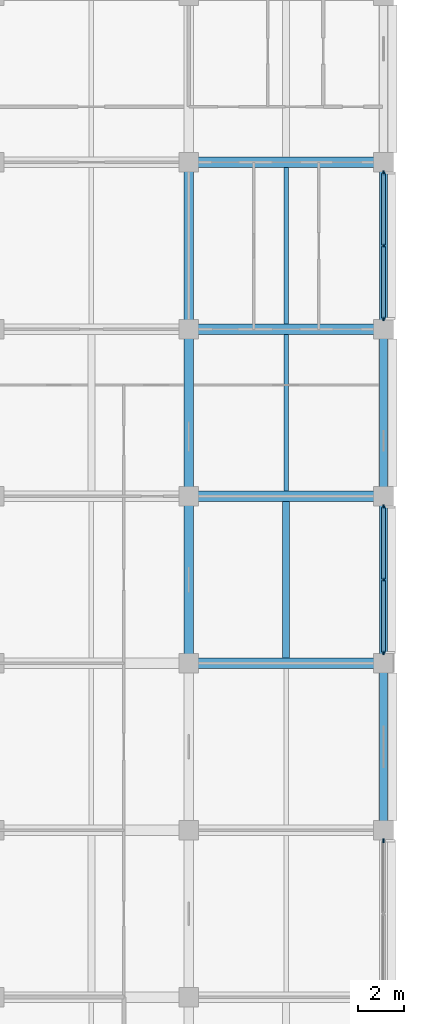
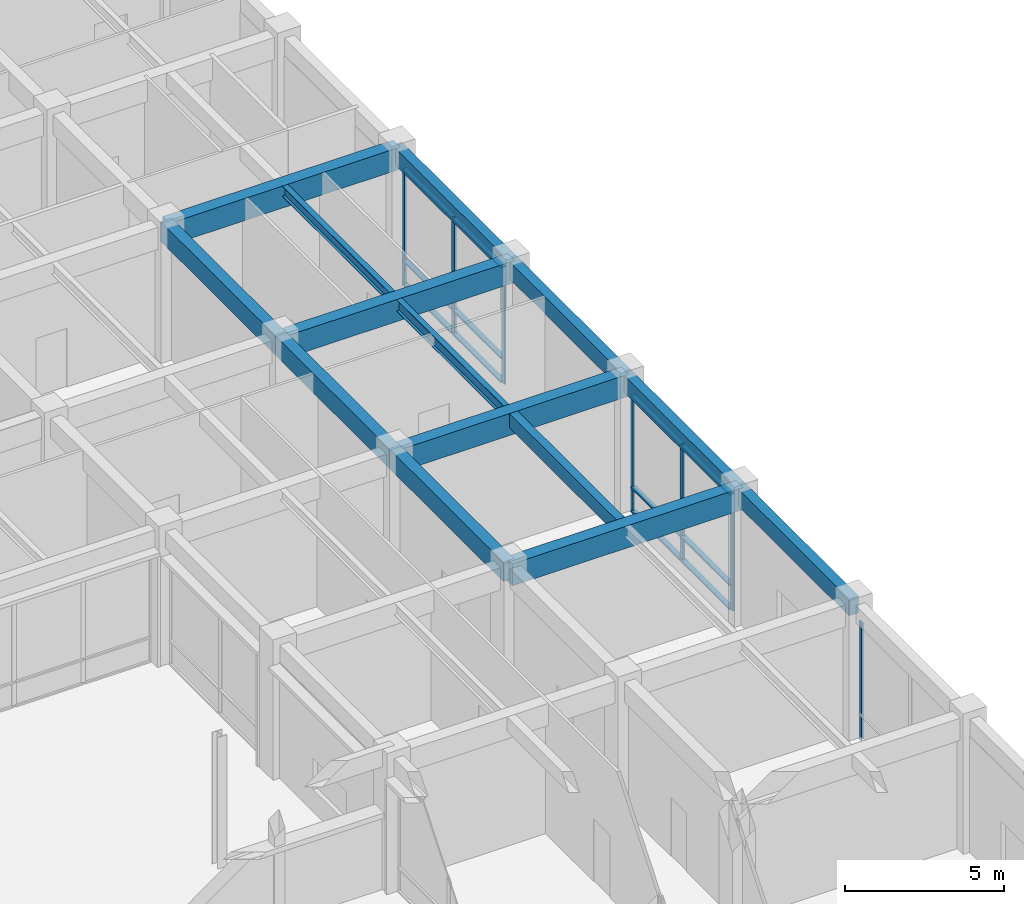
# One storey, part 30 of 73: 19 members, 14 beams, 3 elements without a shape of their own.
"""IFC4 building model written with IfcOpenShell, lengths in metres."""

import ifcopenshell
import ifcopenshell.guid

model = None  # the IFC model being written
_history = None  # IfcOwnerHistory: only IFC2X3 demands one
_inside = {}  # id of a spatial element -> (the spatial element, [elements in it])
_under = {}  # id of a project, library or spatial element -> (it, [spatial elements below it])
_declared = {}  # id of a project -> (the project, [libraries it declares])
_typed = {}  # id of a type object -> (the type object, [elements of that type])
_made_of = {}  # id of a material, layer set ... -> (it, [elements and type objects made of it])


def new_model(schema):
    """Start an empty IFC model of exactly this schema.

    Asked for "IFC4X3", IfcOpenShell would pick the latest addendum, in which some entities
    have other attributes; the version numbers below select the first issue.
    IFC2X3 requires an IfcOwnerHistory on every rooted entity: one is made here for all.
    """
    global model, _history
    if schema == "IFC4X3":
        model = ifcopenshell.file(schema_version=(4, 3, 0, 0))
    else:
        model = ifcopenshell.file(schema=schema)
    _inside.clear()
    _under.clear()
    _declared.clear()
    _typed.clear()
    _made_of.clear()
    _history = None
    if model.schema == "IFC2X3":
        org = make("IfcOrganization", Name="unknown")
        user = make(
            "IfcPersonAndOrganization",
            ThePerson=make("IfcPerson", FamilyName="unknown"),
            TheOrganization=org,
        )
        app = make(
            "IfcApplication",
            ApplicationDeveloper=org,
            Version="unknown",
            ApplicationFullName="unknown",
            ApplicationIdentifier="unknown",
        )
        _history = make(
            "IfcOwnerHistory",
            OwningUser=user,
            OwningApplication=app,
            ChangeAction="ADDED",
            CreationDate=0,
        )
    return model


def make(cls, **values):
    """One entity of the class cls with the attributes given. An attribute that is None is left unset."""
    return model.create_entity(
        cls, **{name: value for name, value in values.items() if value is not None}
    )


def rooted(cls, **values):
    """An entity with a GlobalId (a new one), such as an element, a storey or a relation."""
    return make(cls, GlobalId=ifcopenshell.guid.new(), OwnerHistory=_history, **values)


def si_unit(unit_type, name, prefix=None):
    """IfcSIUnit, for example si_unit("LENGTHUNIT", "METRE", prefix="MILLI")."""
    return make("IfcSIUnit", UnitType=unit_type, Prefix=prefix, Name=name)


def assignment(units):
    """IfcUnitAssignment: the units of a project."""
    return None if units is None else make("IfcUnitAssignment", Units=units)


def point(xyz):
    """IfcCartesianPoint."""
    return None if xyz is None else make("IfcCartesianPoint", Coordinates=xyz)


def direction(xyz):
    """IfcDirection."""
    return None if xyz is None else make("IfcDirection", DirectionRatios=xyz)


def frame(location, z_axis=None, x_axis=None):
    """IfcAxis2Placement3D, a coordinate frame: its origin and axes. An axis left out is left unset."""
    return make(
        "IfcAxis2Placement3D",
        Location=point(location),
        Axis=direction(z_axis),
        RefDirection=direction(x_axis),
    )


def frame_2d(location, x_axis=None):
    """IfcAxis2Placement2D, a coordinate frame in the plane: its origin and x axis."""
    return make(
        "IfcAxis2Placement2D", Location=point(location), RefDirection=direction(x_axis)
    )


def origin():
    """The frame at (0, 0, 0) with its axes left unset."""
    return frame((0.0, 0.0, 0.0))


def origin_2d():
    """The frame at (0, 0) in the plane with its x axis left unset."""
    return frame_2d((0.0, 0.0))


def place(relative_to, where):
    """IfcLocalPlacement: puts the frame where relative to a parent placement (None: the world)."""
    return make(
        "IfcLocalPlacement", PlacementRelTo=relative_to, RelativePlacement=where
    )


def context(
    kind, dimensions, precision=None, world=None, true_north=None, identifier=None
):
    """IfcGeometricRepresentationContext, for example the 3D "Model" context."""
    return make(
        "IfcGeometricRepresentationContext",
        ContextIdentifier=identifier,
        ContextType=kind,
        CoordinateSpaceDimension=dimensions,
        Precision=precision,
        WorldCoordinateSystem=world,
        TrueNorth=true_north,
    )


def subcontext(parent, identifier, kind, view, scale=None):
    """IfcGeometricRepresentationSubContext, for example "Body" below "Model"."""
    return make(
        "IfcGeometricRepresentationSubContext",
        ContextIdentifier=identifier,
        ContextType=kind,
        ParentContext=parent,
        TargetScale=scale,
        TargetView=view,
    )


def project(units=None, contexts=None):
    """IfcProject with its units and contexts."""
    return rooted(
        "IfcProject",
        Name="project",
        RepresentationContexts=contexts,
        UnitsInContext=assignment(units),
    )


def spatial(cls, under=None, at=None, **own):
    """A site, building, storey or space (cls), placed at a placement, below another one or the project."""
    s = rooted(cls, ObjectPlacement=at, **own)
    if under is not None:
        _under.setdefault(under.id(), (under, []))[1].append(s)
    return s


def profile(cls, at=None, kind="AREA", **sizes):
    """A parametric profile (cls). Its sizes go by their IFC names, for example OverallWidth=200.0."""
    return make(cls, ProfileType=kind, Position=at, **sizes)


def rectangle(**sizes):
    """IfcRectangleProfileDef."""
    return profile("IfcRectangleProfileDef", **sizes)


def i_section(**sizes):
    """IfcIShapeProfileDef."""
    return profile("IfcIShapeProfileDef", **sizes)


def extrude(swept, where, along, depth):
    """IfcExtrudedAreaSolid: the profile swept, set in the frame where, extruded along a direction by depth."""
    return make(
        "IfcExtrudedAreaSolid",
        SweptArea=swept,
        Position=where,
        ExtrudedDirection=direction(along),
        Depth=depth,
    )


def shape(context_of_items, identifier, shape_type, items):
    """IfcShapeRepresentation: the items that make up one representation, for example the "Body"."""
    return make(
        "IfcShapeRepresentation",
        ContextOfItems=context_of_items,
        RepresentationIdentifier=identifier,
        RepresentationType=shape_type,
        Items=items,
    )


def material(Name=None, Category=None):
    """IfcMaterial."""
    return make("IfcMaterial", Name=Name, Category=Category)


def layer(
    of_material, thickness, ventilated=None, Name=None, Category=None, Priority=None
):
    """IfcMaterialLayer: one layer of a wall or slab, of a material (None: an air gap)."""
    return make(
        "IfcMaterialLayer",
        Material=of_material,
        LayerThickness=thickness,
        IsVentilated=ventilated,
        Name=Name,
        Category=Category,
        Priority=Priority,
    )


def layer_set(layers, Name=None):
    """IfcMaterialLayerSet."""
    return make("IfcMaterialLayerSet", MaterialLayers=layers, LayerSetName=Name)


def material_profile(
    of_material, cross_section, Name=None, Category=None, Priority=None
):
    """IfcMaterialProfile: a cross section and its material."""
    return make(
        "IfcMaterialProfile",
        Name=Name,
        Material=of_material,
        Profile=cross_section,
        Priority=Priority,
        Category=Category,
    )


def profile_set(profiles, Name=None, composite=None):
    """IfcMaterialProfileSet."""
    return make(
        "IfcMaterialProfileSet",
        Name=Name,
        MaterialProfiles=profiles,
        CompositeProfile=composite,
    )


def made_of(thing, what):
    """Note that an element or type object is made of a material, layer set ...; save() writes the relation."""
    if what is not None:
        _made_of.setdefault(what.id(), (what, []))[1].append(thing)
    return thing


def type_object(cls, material=None, **own):
    """A type object (cls), such as IfcWallType, which elements share."""
    return made_of(rooted(cls, **own), material)


def element(
    cls,
    number,
    at=None,
    inside=None,
    cuts=None,
    type_object=None,
    material=None,
    context=None,
    identifier="Body",
    shape_type=None,
    held_by="IfcProductDefinitionShape",
    body=None,
    shapes=None,
    **own,
):
    """One element of the class cls, such as IfcWall. Its Tag is "e" and its number.

    at: its placement. inside: the storey or other place that contains it. cuts: it is an
    opening in that element (IfcRelVoidsElement). A single representation is given by context,
    identifier, shape_type and body (its items); several are given by shapes. held_by: the class
    of the entity that holds the representations. save() writes the other relations.
    """
    e = rooted(cls, Tag="e%d" % number, ObjectPlacement=at, **own)
    if body is not None:
        shapes = [shape(context, identifier, shape_type, body)]
    if shapes is not None:
        e.Representation = make(held_by, Representations=shapes)
    if inside is not None:
        _inside.setdefault(inside.id(), (inside, []))[1].append(e)
    if cuts is not None:
        rooted(
            "IfcRelVoidsElement", RelatingBuildingElement=cuts, RelatedOpeningElement=e
        )
    if type_object is not None:
        _typed.setdefault(type_object.id(), (type_object, []))[1].append(e)
    return made_of(e, material)


def aggregate(whole, parts):
    """IfcRelAggregates: a whole, such as a stair, and the parts it consists of."""
    return rooted("IfcRelAggregates", RelatingObject=whole, RelatedObjects=parts)


def save(model, path):
    """Write the relations noted so far, then the file.

    IfcRelAggregates (storeys below a building ...), IfcRelContainedInSpatialStructure (elements
    in a storey), IfcRelDefinesByType, IfcRelAssociatesMaterial and IfcRelDeclares: one each for
    every whole, place, type object, material and project.
    """
    for whole, parts in _under.values():
        aggregate(whole, parts)
    for where, things in _inside.values():
        rooted(
            "IfcRelContainedInSpatialStructure",
            RelatedElements=things,
            RelatingStructure=where,
        )
    for kind, things in _typed.values():
        rooted("IfcRelDefinesByType", RelatedObjects=things, RelatingType=kind)
    for what, things in _made_of.values():
        rooted("IfcRelAssociatesMaterial", RelatedObjects=things, RelatingMaterial=what)
    for by, libraries in _declared.values():
        rooted("IfcRelDeclares", RelatingContext=by, RelatedDefinitions=libraries)
    model.write(path)


model = new_model("IFC4")

# Units and contexts
model_context = context("Model", 3, precision=1e-05, world=origin(), true_north=direction((0.0, 1.0)))
body_context = subcontext(model_context, "Body", "Model", "MODEL_VIEW")
ifc_project = project(units=[si_unit("LENGTHUNIT", "METRE"), si_unit("AREAUNIT", "SQUARE_METRE"), si_unit("VOLUMEUNIT", "CUBIC_METRE"), si_unit("PLANEANGLEUNIT", "RADIAN"), si_unit("MASSUNIT", "GRAM", prefix="KILO")], contexts=[model_context])

# Site, building, storey
site_placement = place(None, origin())
site = spatial("IfcSite", under=ifc_project, at=site_placement, CompositionType="ELEMENT")
building_placement = place(site_placement, origin())
building = spatial("IfcBuilding", under=site, at=building_placement, Name="Chengyuan Square Courthouse", CompositionType="ELEMENT")
storey_placement = place(building_placement, origin())
storey = spatial("IfcBuildingStorey", under=building, at=storey_placement, Name="L01", CompositionType="ELEMENT", Elevation=0.0)

# Beams
ifc_material_1 = material(Name="Concrete C40", Category="concrete")
ifc_material_profile_1 = material_profile(ifc_material_1, rectangle(XDim=0.449951171875, YDim=0.85009765625, at=origin_2d()), Name="RC-BM-450x850")
ifc_profile_set_1 = profile_set([ifc_material_profile_1], Name="Concrete C40")
beam_type_1 = type_object("IfcBeamType", Name="BM-01", PredefinedType="USERDEFINED", material=ifc_profile_set_1)
for number, where, z_axis, x_axis, name in (
    (1, (159.60009765625, 72.0, 4.695068359375), (1.0, 0.0, 0.0), (0.0, 1.0, 0.0), "Girder BM-L01-1688"),
    (2, (159.60009765625, 79.199951171875, 4.695068359375), (1.0, 0.0, 0.0), (0.0, 1.0, 0.0), "Girder BM-L01-1708"),
    (3, (159.60009765625, 86.39990234375, 4.695068359375), (1.0, 0.0, 0.0), (0.0, 1.0, 0.0), "Girder BM-L01-1728"),
    (4, (159.60009765625, 93.60009765625, 4.695068359375), (1.0, 0.0, 0.0), (0.0, 1.0, 0.0), "Girder BM-L01-1748"),
):
    element("IfcBeam", number, at=place(storey_placement, frame(where, z_axis=z_axis, x_axis=x_axis)), inside=storey, type_object=beam_type_1, Name=name, ObjectType="GIRDER", PredefinedType="USERDEFINED", context=body_context, shape_type="SweptSolid", body=[
        extrude(rectangle(XDim=0.449951171875, YDim=0.85009765625, at=origin_2d()), origin(), (0.0, 0.0, 1.0), 8.39990234375),
    ])
ifc_material_profile_2 = material_profile(ifc_material_1, rectangle(XDim=0.39990234375, YDim=0.75, at=origin_2d()), Name="RC-BM-400x750")
ifc_profile_set_2 = profile_set([ifc_material_profile_2], Name="Concrete C40")
beam_type_2 = type_object("IfcBeamType", Name="BM-02", PredefinedType="USERDEFINED", material=ifc_profile_set_2)
for number, where, z_axis, x_axis, name in (
    (5, (159.60009765625, 72.0, 4.7451171875), (0.0, 1.0, 0.0), (-1.0, 0.0, 0.0), "Girder BM-L01-1937"),
    (6, (159.60009765625, 79.199951171875, 4.7451171875), (0.0, 1.0, 0.0), (-1.0, 0.0, 0.0), "Girder BM-L01-1938"),
):
    element("IfcBeam", number, at=place(storey_placement, frame(where, z_axis=z_axis, x_axis=x_axis)), inside=storey, type_object=beam_type_2, Name=name, ObjectType="GIRDER", PredefinedType="USERDEFINED", context=body_context, shape_type="SweptSolid", body=[
        extrude(rectangle(XDim=0.39990234375, YDim=0.75, at=origin_2d()), origin(), (0.0, 0.0, 1.0), 7.199951171875),
    ])
beam_1_placement = place(storey_placement, frame((159.60009765625, 86.39990234375, 4.7451171875), z_axis=(0.0, 1.0, 0.0), x_axis=(-1.0, 0.0, 0.0)))
element("IfcBeam", 7, at=beam_1_placement, inside=storey, type_object=beam_type_2, Name="Girder BM-L01-1939", ObjectType="GIRDER", PredefinedType="USERDEFINED", context=body_context, shape_type="SweptSolid", body=[
    extrude(rectangle(XDim=0.39990234375, YDim=0.75, at=origin_2d()), origin(), (0.0, 0.0, 1.0), 7.2001953125),
])
ifc_material_profile_3 = material_profile(ifc_material_1, rectangle(XDim=0.35009765625, YDim=0.64990234375, at=origin_2d()), Name="RC-BM-350x650")
ifc_profile_set_3 = profile_set([ifc_material_profile_3], Name="Concrete C40")
beam_type_3 = type_object("IfcBeamType", Name="BM-03", PredefinedType="SPANDREL", material=ifc_profile_set_3)
for number, where, z_axis, x_axis, name in (
    (8, (168.0, 64.800048828125, 4.794921875), (0.0, 1.0, 0.0), (-1.0, 0.0, 0.0), "Girder BM-L01-1951"),
    (9, (168.0, 72.0, 4.794921875), (0.0, 1.0, 0.0), (-1.0, 0.0, 0.0), "Girder BM-L01-1952"),
    (10, (168.0, 79.199951171875, 4.794921875), (0.0, 1.0, 0.0), (-1.0, 0.0, 0.0), "Girder BM-L01-1953"),
):
    element("IfcBeam", number, at=place(storey_placement, frame(where, z_axis=z_axis, x_axis=x_axis)), inside=storey, type_object=beam_type_3, Name=name, PredefinedType="SPANDREL", context=body_context, shape_type="SweptSolid", body=[
        extrude(rectangle(XDim=0.35009765625, YDim=0.64990234375, at=origin_2d()), origin(), (0.0, 0.0, 1.0), 7.199951171875),
    ])
beam_2_placement = place(storey_placement, frame((168.0, 86.39990234375, 4.794921875), z_axis=(0.0, 1.0, 0.0), x_axis=(-1.0, 0.0, 0.0)))
element("IfcBeam", 11, at=beam_2_placement, inside=storey, type_object=beam_type_3, Name="Girder BM-L01-1954", PredefinedType="SPANDREL", context=body_context, shape_type="SweptSolid", body=[
    extrude(rectangle(XDim=0.35009765625, YDim=0.64990234375, at=origin_2d()), origin(), (0.0, 0.0, 1.0), 7.2001953125),
])
ifc_material_profile_4 = material_profile(ifc_material_1, rectangle(XDim=0.300048828125, YDim=0.550048828125, at=origin_2d()), Name="RC-BM-300x550")
ifc_profile_set_4 = profile_set([ifc_material_profile_4], Name="Concrete C40")
beam_type_4 = type_object("IfcBeamType", Name="BM-04", PredefinedType="BEAM", material=ifc_profile_set_4)
beam_3_placement = place(storey_placement, frame((163.800048828125, 72.22509765625, 4.844970703125), z_axis=(0.0, 1.0, 0.0), x_axis=(-1.0, 0.0, 0.0)))
element("IfcBeam", 12, at=beam_3_placement, inside=storey, type_object=beam_type_4, Name="Secondary Floor Beam SBM-L01-2066", PredefinedType="BEAM", context=body_context, shape_type="SweptSolid", body=[
    extrude(rectangle(XDim=0.300048828125, YDim=0.550048828125, at=origin_2d()), origin(), (0.0, 0.0, 1.0), 6.75),
])
ifc_material_2 = material(Name="Steel Q355B", Category="steel")
ifc_material_profile_5 = material_profile(ifc_material_2, i_section(OverallWidth=0.199951171875, OverallDepth=0.449951171875, WebThickness=0.009033203125, FlangeThickness=0.013916015625, at=origin_2d()), Name="HN 450x200x9x14")
ifc_profile_set_5 = profile_set([ifc_material_profile_5], Name="Steel Q355B")
beam_type_5 = type_object("IfcBeamType", Name="BM-06", PredefinedType="BEAM", material=ifc_profile_set_5)
beam_4_placement = place(storey_placement, frame((163.800048828125, 79.425048828125, 4.89501953125), z_axis=(0.0, 1.0, 0.0), x_axis=(-1.0, 0.0, 0.0)))
element("IfcBeam", 13, at=beam_4_placement, inside=storey, type_object=beam_type_5, Name="Secondary Floor Beam SBM-L01-2067", PredefinedType="BEAM", context=body_context, shape_type="SweptSolid", body=[
    extrude(i_section(OverallWidth=0.199951171875, OverallDepth=0.449951171875, WebThickness=0.009033203125, FlangeThickness=0.013916015625, at=origin_2d()), origin(), (0.0, 0.0, 1.0), 6.75),
])
ifc_material_profile_6 = material_profile(ifc_material_2, i_section(OverallWidth=0.199951171875, OverallDepth=0.39990234375, WebThickness=0.008056640625, FlangeThickness=0.012939453125, at=origin_2d()), Name="HN 400x200x8x13")
ifc_profile_set_6 = profile_set([ifc_material_profile_6], Name="Steel Q355B")
beam_type_6 = type_object("IfcBeamType", Name="BM-07", PredefinedType="BEAM", material=ifc_profile_set_6)
beam_5_placement = place(storey_placement, frame((163.800048828125, 86.625, 4.919921875), z_axis=(0.0, 1.0, 0.0), x_axis=(-1.0, 0.0, 0.0)))
element("IfcBeam", 14, at=beam_5_placement, inside=storey, type_object=beam_type_6, Name="Secondary Floor Beam SBM-L01-2068", PredefinedType="BEAM", context=body_context, shape_type="SweptSolid", body=[
    extrude(i_section(OverallWidth=0.199951171875, OverallDepth=0.39990234375, WebThickness=0.008056640625, FlangeThickness=0.012939453125, at=origin_2d()), origin(), (0.0, 0.0, 1.0), 6.75),
])

# Curtain wall, member
ifc_material_3 = material(Name="Unitised Aluminium and Triple Low-E Glass", Category="aluminium")
ifc_layer = layer(ifc_material_3, 0.179931640625)
ifc_layer_set = layer_set([ifc_layer], Name="Unitised Aluminium and Triple Low-E Glass")
curtain_wall_type = type_object("IfcCurtainWallType", Name="CW-14", PredefinedType="USERDEFINED", material=ifc_layer_set)
curtain_wall_1_placement = place(storey_placement, origin())
curtain_wall_1 = element("IfcCurtainWall", 15, at=curtain_wall_1_placement, inside=storey, type_object=curtain_wall_type, Name="Unitised Curtain Wall CW-L01-040", ObjectType="UNITISED CURTAIN WALL", PredefinedType="USERDEFINED")
ifc_material_4 = material(Name="Aluminium 6063-T6 Frame", Category="aluminium")
ifc_material_profile_7 = material_profile(ifc_material_4, rectangle(XDim=0.06494140625, YDim=0.179931640625, at=origin_2d()), Name="CW-MUL-65x180")
ifc_profile_set_7 = profile_set([ifc_material_profile_7], Name="Aluminium 6063-T6 Frame")
member_type_1 = type_object("IfcMemberType", Name="CWM-02", PredefinedType="MULLION", material=ifc_profile_set_7)
member_1_placement = place(storey_placement, frame((168.0, 64.342529296875, 0.0), z_axis=(0.0, 0.0, 1.0), x_axis=(-1.0, 0.0, 0.0)))
member_1 = element("IfcMember", 16, at=member_1_placement, type_object=member_type_1, Name="CW-14 mullion 3", PredefinedType="MULLION", context=body_context, shape_type="SweptSolid", body=[
    extrude(rectangle(XDim=0.06494140625, YDim=0.179931640625, at=origin_2d()), origin(), (0.0, 0.0, 1.0), 4.469970703125),
])
aggregate(curtain_wall_1, [member_1])

# Curtain wall, members
curtain_wall_2_placement = place(storey_placement, origin())
curtain_wall_2 = element("IfcCurtainWall", 17, at=curtain_wall_2_placement, inside=storey, type_object=curtain_wall_type, Name="Unitised Curtain Wall CW-L01-041", ObjectType="UNITISED CURTAIN WALL", PredefinedType="USERDEFINED")
member_2_placement = place(storey_placement, frame((168.0, 72.45751953125, 0.0), z_axis=(0.0, 0.0, 1.0), x_axis=(-1.0, 0.0, 0.0)))
member_2 = element("IfcMember", 18, at=member_2_placement, type_object=member_type_1, Name="CW-14 mullion 1", PredefinedType="MULLION", context=body_context, shape_type="SweptSolid", body=[
    extrude(rectangle(XDim=0.06494140625, YDim=0.179931640625, at=origin_2d()), origin(), (0.0, 0.0, 1.0), 4.469970703125),
])
member_3_placement = place(storey_placement, frame((168.0, 75.60009765625, 0.0), z_axis=(0.0, 0.0, 1.0), x_axis=(-1.0, 0.0, 0.0)))
member_3 = element("IfcMember", 19, at=member_3_placement, type_object=member_type_1, Name="CW-14 mullion 2", PredefinedType="MULLION", context=body_context, shape_type="SweptSolid", body=[
    extrude(rectangle(XDim=0.06494140625, YDim=0.179931640625, at=origin_2d()), origin(), (0.0, 0.0, 1.0), 4.469970703125),
])
member_4_placement = place(storey_placement, frame((168.0, 78.742431640625, 0.0), z_axis=(0.0, 0.0, 1.0), x_axis=(-1.0, 0.0, 0.0)))
member_4 = element("IfcMember", 20, at=member_4_placement, type_object=member_type_1, Name="CW-14 mullion 3", PredefinedType="MULLION", context=body_context, shape_type="SweptSolid", body=[
    extrude(rectangle(XDim=0.06494140625, YDim=0.179931640625, at=origin_2d()), origin(), (0.0, 0.0, 1.0), 4.469970703125),
])

curtain_wall_3_placement = place(storey_placement, origin())
curtain_wall_3 = element("IfcCurtainWall", 21, at=curtain_wall_3_placement, inside=storey, type_object=curtain_wall_type, Name="Unitised Curtain Wall CW-L01-042", ObjectType="UNITISED CURTAIN WALL", PredefinedType="USERDEFINED")
member_5_placement = place(storey_placement, frame((168.0, 86.857421875, 0.0), z_axis=(0.0, 0.0, 1.0), x_axis=(-1.0, 0.0, 0.0)))
member_5 = element("IfcMember", 22, at=member_5_placement, type_object=member_type_1, Name="CW-14 mullion 1", PredefinedType="MULLION", context=body_context, shape_type="SweptSolid", body=[
    extrude(rectangle(XDim=0.06494140625, YDim=0.179931640625, at=origin_2d()), origin(), (0.0, 0.0, 1.0), 4.469970703125),
])
member_6_placement = place(storey_placement, frame((168.0, 90.0, 0.0), z_axis=(0.0, 0.0, 1.0), x_axis=(-1.0, 0.0, 0.0)))
member_6 = element("IfcMember", 23, at=member_6_placement, type_object=member_type_1, Name="CW-14 mullion 2", PredefinedType="MULLION", context=body_context, shape_type="SweptSolid", body=[
    extrude(rectangle(XDim=0.06494140625, YDim=0.179931640625, at=origin_2d()), origin(), (0.0, 0.0, 1.0), 4.469970703125),
])
member_7_placement = place(storey_placement, frame((168.0, 93.142578125, 0.0), z_axis=(0.0, 0.0, 1.0), x_axis=(-1.0, 0.0, 0.0)))
member_7 = element("IfcMember", 24, at=member_7_placement, type_object=member_type_1, Name="CW-14 mullion 3", PredefinedType="MULLION", context=body_context, shape_type="SweptSolid", body=[
    extrude(rectangle(XDim=0.06494140625, YDim=0.179931640625, at=origin_2d()), origin(), (0.0, 0.0, 1.0), 4.469970703125),
])

# Member
ifc_material_profile_8 = material_profile(ifc_material_4, rectangle(XDim=0.179931640625, YDim=0.06494140625, at=origin_2d()), Name="CW-TRN-65x140")
ifc_profile_set_8 = profile_set([ifc_material_profile_8], Name="Aluminium 6063-T6 Frame")
member_type_2 = type_object("IfcMemberType", Name="CWT-02", PredefinedType="USERDEFINED", material=ifc_profile_set_8)
member_8_placement = place(storey_placement, frame((168.0, 72.489990234375, 0.032470703125), z_axis=(0.0, 1.0, 0.0), x_axis=(-1.0, 0.0, 0.0)))
member_8 = element("IfcMember", 25, at=member_8_placement, type_object=member_type_2, Name="CW-14 transom 1.1", ObjectType="TRANSOM", PredefinedType="USERDEFINED", context=body_context, shape_type="SweptSolid", body=[
    extrude(rectangle(XDim=0.179931640625, YDim=0.06494140625, at=origin_2d()), origin(), (0.0, 0.0, 1.0), 3.077392578125),
])

member_9_placement = place(storey_placement, frame((168.0, 72.489990234375, 0.949951171875), z_axis=(0.0, 1.0, 0.0), x_axis=(-1.0, 0.0, 0.0)))
member_9 = element("IfcMember", 26, at=member_9_placement, type_object=member_type_2, Name="CW-14 transom 1.2", ObjectType="TRANSOM", PredefinedType="USERDEFINED", context=body_context, shape_type="SweptSolid", body=[
    extrude(rectangle(XDim=0.179931640625, YDim=0.06494140625, at=origin_2d()), origin(), (0.0, 0.0, 1.0), 3.077392578125),
])

member_10_placement = place(storey_placement, frame((168.0, 72.489990234375, 4.4375), z_axis=(0.0, 1.0, 0.0), x_axis=(-1.0, 0.0, 0.0)))
member_10 = element("IfcMember", 27, at=member_10_placement, type_object=member_type_2, Name="CW-14 transom 1.3", ObjectType="TRANSOM", PredefinedType="USERDEFINED", context=body_context, shape_type="SweptSolid", body=[
    extrude(rectangle(XDim=0.179931640625, YDim=0.06494140625, at=origin_2d()), origin(), (0.0, 0.0, 1.0), 3.077392578125),
])

member_11_placement = place(storey_placement, frame((168.0, 75.632568359375, 0.032470703125), z_axis=(0.0, 1.0, 0.0), x_axis=(-1.0, 0.0, 0.0)))
member_11 = element("IfcMember", 28, at=member_11_placement, type_object=member_type_2, Name="CW-14 transom 2.1", ObjectType="TRANSOM", PredefinedType="USERDEFINED", context=body_context, shape_type="SweptSolid", body=[
    extrude(rectangle(XDim=0.179931640625, YDim=0.06494140625, at=origin_2d()), origin(), (0.0, 0.0, 1.0), 3.077392578125),
])

member_12_placement = place(storey_placement, frame((168.0, 75.632568359375, 0.949951171875), z_axis=(0.0, 1.0, 0.0), x_axis=(-1.0, 0.0, 0.0)))
member_12 = element("IfcMember", 29, at=member_12_placement, type_object=member_type_2, Name="CW-14 transom 2.2", ObjectType="TRANSOM", PredefinedType="USERDEFINED", context=body_context, shape_type="SweptSolid", body=[
    extrude(rectangle(XDim=0.179931640625, YDim=0.06494140625, at=origin_2d()), origin(), (0.0, 0.0, 1.0), 3.077392578125),
])

member_13_placement = place(storey_placement, frame((168.0, 75.632568359375, 4.4375), z_axis=(0.0, 1.0, 0.0), x_axis=(-1.0, 0.0, 0.0)))
member_13 = element("IfcMember", 30, at=member_13_placement, type_object=member_type_2, Name="CW-14 transom 2.3", ObjectType="TRANSOM", PredefinedType="USERDEFINED", context=body_context, shape_type="SweptSolid", body=[
    extrude(rectangle(XDim=0.179931640625, YDim=0.06494140625, at=origin_2d()), origin(), (0.0, 0.0, 1.0), 3.077392578125),
])

aggregate(curtain_wall_2, [member_2, member_3, member_4, member_8, member_9, member_10, member_11, member_12, member_13])

member_14_placement = place(storey_placement, frame((168.0, 86.889892578125, 0.032470703125), z_axis=(0.0, 1.0, 0.0), x_axis=(-1.0, 0.0, 0.0)))
member_14 = element("IfcMember", 31, at=member_14_placement, type_object=member_type_2, Name="CW-14 transom 1.1", ObjectType="TRANSOM", PredefinedType="USERDEFINED", context=body_context, shape_type="SweptSolid", body=[
    extrude(rectangle(XDim=0.179931640625, YDim=0.06494140625, at=origin_2d()), origin(), (0.0, 0.0, 1.0), 3.07763671875),
])

member_15_placement = place(storey_placement, frame((168.0, 86.889892578125, 0.949951171875), z_axis=(0.0, 1.0, 0.0), x_axis=(-1.0, 0.0, 0.0)))
member_15 = element("IfcMember", 32, at=member_15_placement, type_object=member_type_2, Name="CW-14 transom 1.2", ObjectType="TRANSOM", PredefinedType="USERDEFINED", context=body_context, shape_type="SweptSolid", body=[
    extrude(rectangle(XDim=0.179931640625, YDim=0.06494140625, at=origin_2d()), origin(), (0.0, 0.0, 1.0), 3.07763671875),
])

member_16_placement = place(storey_placement, frame((168.0, 86.889892578125, 4.4375), z_axis=(0.0, 1.0, 0.0), x_axis=(-1.0, 0.0, 0.0)))
member_16 = element("IfcMember", 33, at=member_16_placement, type_object=member_type_2, Name="CW-14 transom 1.3", ObjectType="TRANSOM", PredefinedType="USERDEFINED", context=body_context, shape_type="SweptSolid", body=[
    extrude(rectangle(XDim=0.179931640625, YDim=0.06494140625, at=origin_2d()), origin(), (0.0, 0.0, 1.0), 3.07763671875),
])

member_17_placement = place(storey_placement, frame((168.0, 90.032470703125, 0.032470703125), z_axis=(0.0, 1.0, 0.0), x_axis=(-1.0, 0.0, 0.0)))
member_17 = element("IfcMember", 34, at=member_17_placement, type_object=member_type_2, Name="CW-14 transom 2.1", ObjectType="TRANSOM", PredefinedType="USERDEFINED", context=body_context, shape_type="SweptSolid", body=[
    extrude(rectangle(XDim=0.179931640625, YDim=0.06494140625, at=origin_2d()), origin(), (0.0, 0.0, 1.0), 3.07763671875),
])

member_18_placement = place(storey_placement, frame((168.0, 90.032470703125, 0.949951171875), z_axis=(0.0, 1.0, 0.0), x_axis=(-1.0, 0.0, 0.0)))
member_18 = element("IfcMember", 35, at=member_18_placement, type_object=member_type_2, Name="CW-14 transom 2.2", ObjectType="TRANSOM", PredefinedType="USERDEFINED", context=body_context, shape_type="SweptSolid", body=[
    extrude(rectangle(XDim=0.179931640625, YDim=0.06494140625, at=origin_2d()), origin(), (0.0, 0.0, 1.0), 3.07763671875),
])

member_19_placement = place(storey_placement, frame((168.0, 90.032470703125, 4.4375), z_axis=(0.0, 1.0, 0.0), x_axis=(-1.0, 0.0, 0.0)))
member_19 = element("IfcMember", 36, at=member_19_placement, type_object=member_type_2, Name="CW-14 transom 2.3", ObjectType="TRANSOM", PredefinedType="USERDEFINED", context=body_context, shape_type="SweptSolid", body=[
    extrude(rectangle(XDim=0.179931640625, YDim=0.06494140625, at=origin_2d()), origin(), (0.0, 0.0, 1.0), 3.07763671875),
])

aggregate(curtain_wall_3, [member_5, member_6, member_7, member_14, member_15, member_16, member_17, member_18, member_19])

save(model, "model.ifc")
